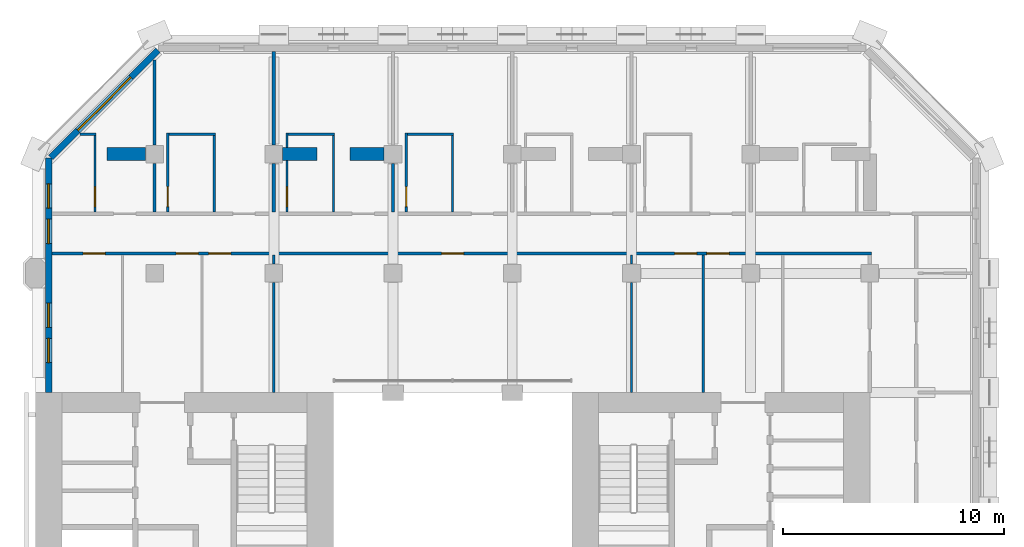
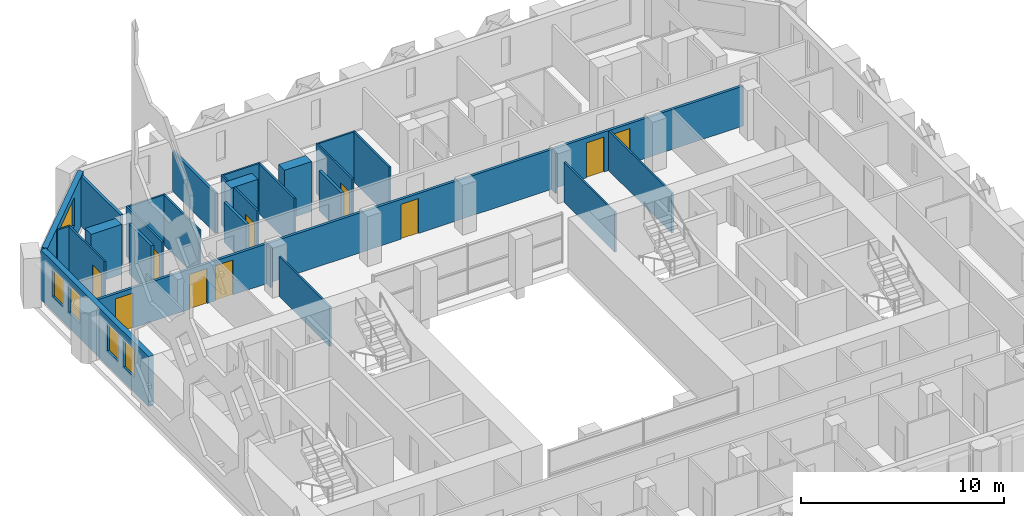
# One storey, part 12 of 17: 28 walls, 10 doors, 5 windows, 15 openings.
"""IFC4 building model written with IfcOpenShell, lengths in metres."""

from ifc_helpers import new_model, si_unit, direction, frame, frame_2d, origin, place, context, subcontext, project, spatial, rectangle, extrude, material, layer, layer_set, type_object, element, fill, save


model = new_model("IFC4")

# Units and contexts
model_context = context("Model", 3, precision=1e-05, world=origin(), true_north=direction((0.0, 1.0)))
body_context = subcontext(model_context, "Body", "Model", "MODEL_VIEW")
ifc_project = project(units=[si_unit("LENGTHUNIT", "METRE"), si_unit("AREAUNIT", "SQUARE_METRE"), si_unit("VOLUMEUNIT", "CUBIC_METRE"), si_unit("PLANEANGLEUNIT", "RADIAN"), si_unit("MASSUNIT", "GRAM", prefix="KILO")], contexts=[model_context])

# Site, building, storey
site_placement = place(None, origin())
site = spatial("IfcSite", under=ifc_project, at=site_placement, CompositionType="ELEMENT")
building_placement = place(site_placement, origin())
building = spatial("IfcBuilding", under=site, at=building_placement, Name="Tabaq Tower and Sports Hall", CompositionType="ELEMENT")
storey_placement = place(building_placement, frame((0.0, 0.0, 180.699951171875)))
storey = spatial("IfcBuildingStorey", under=building, at=storey_placement, Name="L43", CompositionType="ELEMENT", Elevation=180.699951171875)

# Wall
ifc_material_1 = material(Name="Gypsum board on steel studs", Category="steel")
ifc_layer_1 = layer(ifc_material_1, 0.10009765625)
ifc_layer_set_1 = layer_set([ifc_layer_1], Name="Partition 100 Gypsum board")
wall_type_1 = type_object("IfcWallType", Name="Partition 100 Gypsum board", PredefinedType="PARTITIONING", material=ifc_layer_set_1)
wall_1_placement = place(storey_placement, frame((7.412109375, 44.10009765625, 0.0), z_axis=(0.0, 0.0, 1.0), x_axis=(1.0, 0.0, 0.0)))
element("IfcWall", 1, at=wall_1_placement, inside=storey, type_object=wall_type_1, Name="Partition wall L43", PredefinedType="PARTITIONING", context=body_context, shape_type="SweptSolid", body=[
    extrude(rectangle(XDim=0.73779296875, YDim=0.10009765625, at=frame_2d((0.368896484375, 0.0))), origin(), (0.0, 0.0, 1.0), 3.0),
])

# Wall, opening, door
wall_2_placement = place(storey_placement, frame((8.10009765625, 44.050048828125, 0.0), z_axis=(0.0, 0.0, 1.0), x_axis=(0.0, -1.0, 0.0)))
wall_2 = element("IfcWall", 2, at=wall_2_placement, inside=storey, type_object=wall_type_1, Name="Partition wall L43", PredefinedType="PARTITIONING", context=body_context, shape_type="SweptSolid", body=[
    extrude(rectangle(XDim=3.47509765625, YDim=0.10009765625, at=frame_2d((1.737548828125, 0.0))), origin(), (0.0, 0.0, 1.0), 3.0),
])
opening_1_placement = place(wall_2_placement, frame((2.324951171875, 0.0, 0.0)))
opening_1 = element("IfcOpeningElement", 3, at=opening_1_placement, cuts=wall_2, Name="Opening L43-002", PredefinedType="OPENING", context=body_context, shape_type="SweptSolid", body=[
    extrude(rectangle(XDim=0.89990234375, YDim=2.10009765625, at=frame_2d((0.449951171875, 1.050048828125))), frame((0.0, 0.050048828125, 0.0), z_axis=(0.0, -1.0, 0.0), x_axis=(1.0, 0.0, 0.0)), (0.0, 0.0, 1.0), 0.10009765625),
])
ifc_material_2 = material(Name="Timber leaf in steel frame", Category="steel")
door_type_1 = type_object("IfcDoorType", Name="Internal door 900 left hand", OperationType="SINGLE_SWING_LEFT", PredefinedType="DOOR", material=ifc_material_2)
door_1_placement = place(opening_1_placement, origin())
door_1 = element("IfcDoor", 4, at=door_1_placement, inside=storey, type_object=door_type_1, Name="Internal door L43-002", OperationType="SINGLE_SWING_LEFT", OverallHeight=2.10009765625, OverallWidth=0.89990234375, PredefinedType="DOOR", context=body_context, shape_type="SweptSolid", body=[
    extrude(rectangle(XDim=0.89990234375, YDim=2.10009765625, at=frame_2d((0.449951171875, 1.050048828125))), frame((0.0, 0.02490234375, 0.0), z_axis=(0.0, -1.0, 0.0), x_axis=(1.0, 0.0, 0.0)), (0.0, 0.0, 1.0), 0.050048828125),
])
fill(opening_1, door_1)

wall_3_placement = place(storey_placement, frame((11.39990234375, 40.574951171875, 0.0), z_axis=(0.0, 0.0, 1.0), x_axis=(0.0, 1.0, 0.0)))
wall_3 = element("IfcWall", 5, at=wall_3_placement, inside=storey, type_object=wall_type_1, Name="Partition wall L43", PredefinedType="PARTITIONING", context=body_context, shape_type="SweptSolid", body=[
    extrude(rectangle(XDim=3.574951171875, YDim=0.10009765625, at=frame_2d((1.78759765625, 0.0))), origin(), (0.0, 0.0, 1.0), 3.0),
])
opening_2_placement = place(wall_3_placement, frame((0.25, 0.0, 0.0)))
opening_2 = element("IfcOpeningElement", 6, at=opening_2_placement, cuts=wall_3, Name="Opening L43-003", PredefinedType="OPENING", context=body_context, shape_type="SweptSolid", body=[
    extrude(rectangle(XDim=0.89990234375, YDim=2.10009765625, at=frame_2d((0.449951171875, 1.050048828125))), frame((0.0, 0.050048828125, 0.0), z_axis=(0.0, -1.0, 0.0), x_axis=(1.0, 0.0, 0.0)), (0.0, 0.0, 1.0), 0.10009765625),
])
door_2_placement = place(opening_2_placement, origin())
door_2 = element("IfcDoor", 7, at=door_2_placement, inside=storey, type_object=door_type_1, Name="Internal door L43-003", OperationType="SINGLE_SWING_LEFT", OverallHeight=2.10009765625, OverallWidth=0.89990234375, PredefinedType="DOOR", context=body_context, shape_type="SweptSolid", body=[
    extrude(rectangle(XDim=0.89990234375, YDim=2.10009765625, at=frame_2d((0.449951171875, 1.050048828125))), frame((0.0, 0.02490234375, 0.0), z_axis=(0.0, -1.0, 0.0), x_axis=(1.0, 0.0, 0.0)), (0.0, 0.0, 1.0), 0.050048828125),
])
fill(opening_2, door_2)

# Walls
wall_4_placement = place(storey_placement, frame((11.449951171875, 44.10009765625, 0.0), z_axis=(0.0, 0.0, 1.0), x_axis=(1.0, 0.0, 0.0)))
element("IfcWall", 8, at=wall_4_placement, inside=storey, type_object=wall_type_1, Name="Partition wall L43", PredefinedType="PARTITIONING", context=body_context, shape_type="SweptSolid", body=[
    extrude(rectangle(XDim=2.10009765625, YDim=0.10009765625, at=frame_2d((1.050048828125, 0.0))), origin(), (0.0, 0.0, 1.0), 3.0),
])
wall_5_placement = place(storey_placement, frame((13.5, 44.050048828125, 0.0), z_axis=(0.0, 0.0, 1.0), x_axis=(0.0, -1.0, 0.0)))
element("IfcWall", 9, at=wall_5_placement, inside=storey, type_object=wall_type_1, Name="Partition wall L43", PredefinedType="PARTITIONING", context=body_context, shape_type="SweptSolid", body=[
    extrude(rectangle(XDim=3.47509765625, YDim=0.10009765625, at=frame_2d((1.737548828125, 0.0))), origin(), (0.0, 0.0, 1.0), 3.0),
])

# Wall, opening, door
wall_6_placement = place(storey_placement, frame((16.800048828125, 40.574951171875, 0.0), z_axis=(0.0, 0.0, 1.0), x_axis=(0.0, 1.0, 0.0)))
wall_6 = element("IfcWall", 10, at=wall_6_placement, inside=storey, type_object=wall_type_1, Name="Partition wall L43", PredefinedType="PARTITIONING", context=body_context, shape_type="SweptSolid", body=[
    extrude(rectangle(XDim=2.323974609375, YDim=0.10009765625, at=frame_2d((1.162109375, 0.0))), origin(), (0.0, 0.0, 1.0), 3.0),
])
opening_3_placement = place(wall_6_placement, frame((0.25, 0.0, 0.0)))
opening_3 = element("IfcOpeningElement", 11, at=opening_3_placement, cuts=wall_6, Name="Opening L43-004", PredefinedType="OPENING", context=body_context, shape_type="SweptSolid", body=[
    extrude(rectangle(XDim=0.89990234375, YDim=2.10009765625, at=frame_2d((0.449951171875, 1.050048828125))), frame((0.0, 0.050048828125, 0.0), z_axis=(0.0, -1.0, 0.0), x_axis=(1.0, 0.0, 0.0)), (0.0, 0.0, 1.0), 0.10009765625),
])
ifc_material_3 = material(Name="Timber leaf in steel frame", Category="steel")
door_type_2 = type_object("IfcDoorType", Name="Internal door 900 right hand", OperationType="SINGLE_SWING_RIGHT", PredefinedType="DOOR", material=ifc_material_3)
door_3_placement = place(opening_3_placement, origin())
door_3 = element("IfcDoor", 12, at=door_3_placement, inside=storey, type_object=door_type_2, Name="Internal door L43-004", OperationType="SINGLE_SWING_RIGHT", OverallHeight=2.10009765625, OverallWidth=0.89990234375, PredefinedType="DOOR", context=body_context, shape_type="SweptSolid", body=[
    extrude(rectangle(XDim=0.89990234375, YDim=2.10009765625, at=frame_2d((0.449951171875, 1.050048828125))), frame((0.0, 0.02490234375, 0.0), z_axis=(0.0, -1.0, 0.0), x_axis=(1.0, 0.0, 0.0)), (0.0, 0.0, 1.0), 0.050048828125),
])
fill(opening_3, door_3)

# Walls
wall_7_placement = place(storey_placement, frame((16.800048828125, 43.5009765625, 0.0), z_axis=(0.0, 0.0, 1.0), x_axis=(0.0, 1.0, 0.0)))
element("IfcWall", 13, at=wall_7_placement, inside=storey, type_object=wall_type_1, Name="Partition wall L43", PredefinedType="PARTITIONING", context=body_context, shape_type="SweptSolid", body=[
    extrude(rectangle(XDim=0.64892578125, YDim=0.10009765625, at=frame_2d((0.324462890625, 0.0))), origin(), (0.0, 0.0, 1.0), 3.0),
])
wall_8_placement = place(storey_placement, frame((16.85009765625, 44.10009765625, 0.0), z_axis=(0.0, 0.0, 1.0), x_axis=(1.0, 0.0, 0.0)))
element("IfcWall", 14, at=wall_8_placement, inside=storey, type_object=wall_type_1, Name="Partition wall L43", PredefinedType="PARTITIONING", context=body_context, shape_type="SweptSolid", body=[
    extrude(rectangle(XDim=2.099853515625, YDim=0.10009765625, at=frame_2d((1.0498046875, 0.0))), origin(), (0.0, 0.0, 1.0), 3.0),
])
wall_9_placement = place(storey_placement, frame((18.89990234375, 44.050048828125, 0.0), z_axis=(0.0, 0.0, 1.0), x_axis=(0.0, -1.0, 0.0)))
element("IfcWall", 15, at=wall_9_placement, inside=storey, type_object=wall_type_1, Name="Partition wall L43", PredefinedType="PARTITIONING", context=body_context, shape_type="SweptSolid", body=[
    extrude(rectangle(XDim=3.47509765625, YDim=0.10009765625, at=frame_2d((1.737548828125, 0.0))), origin(), (0.0, 0.0, 1.0), 3.0),
])

# Wall, opening, door
wall_10_placement = place(storey_placement, frame((22.199951171875, 40.574951171875, 0.0), z_axis=(0.0, 0.0, 1.0), x_axis=(0.0, 1.0, 0.0)))
wall_10 = element("IfcWall", 16, at=wall_10_placement, inside=storey, type_object=wall_type_1, Name="Partition wall L43", PredefinedType="PARTITIONING", context=body_context, shape_type="SweptSolid", body=[
    extrude(rectangle(XDim=3.574951171875, YDim=0.10009765625, at=frame_2d((1.78759765625, 0.0))), origin(), (0.0, 0.0, 1.0), 3.0),
])
opening_4_placement = place(wall_10_placement, frame((0.25, 0.0, 0.0)))
opening_4 = element("IfcOpeningElement", 17, at=opening_4_placement, cuts=wall_10, Name="Opening L43-005", PredefinedType="OPENING", context=body_context, shape_type="SweptSolid", body=[
    extrude(rectangle(XDim=0.89990234375, YDim=2.10009765625, at=frame_2d((0.449951171875, 1.050048828125))), frame((0.0, 0.050048828125, 0.0), z_axis=(0.0, -1.0, 0.0), x_axis=(1.0, 0.0, 0.0)), (0.0, 0.0, 1.0), 0.10009765625),
])
door_4_placement = place(opening_4_placement, origin())
door_4 = element("IfcDoor", 18, at=door_4_placement, inside=storey, type_object=door_type_2, Name="Internal door L43-005", OperationType="SINGLE_SWING_RIGHT", OverallHeight=2.10009765625, OverallWidth=0.89990234375, PredefinedType="DOOR", context=body_context, shape_type="SweptSolid", body=[
    extrude(rectangle(XDim=0.89990234375, YDim=2.10009765625, at=frame_2d((0.449951171875, 1.050048828125))), frame((0.0, 0.02490234375, 0.0), z_axis=(0.0, -1.0, 0.0), x_axis=(1.0, 0.0, 0.0)), (0.0, 0.0, 1.0), 0.050048828125),
])
fill(opening_4, door_4)

# Walls
wall_11_placement = place(storey_placement, frame((22.25, 44.10009765625, 0.0), z_axis=(0.0, 0.0, 1.0), x_axis=(1.0, 0.0, 0.0)))
element("IfcWall", 19, at=wall_11_placement, inside=storey, type_object=wall_type_1, Name="Partition wall L43", PredefinedType="PARTITIONING", context=body_context, shape_type="SweptSolid", body=[
    extrude(rectangle(XDim=2.10009765625, YDim=0.10009765625, at=frame_2d((1.050048828125, 0.0))), origin(), (0.0, 0.0, 1.0), 3.0),
])
wall_12_placement = place(storey_placement, frame((24.300048828125, 44.050048828125, 0.0), z_axis=(0.0, 0.0, 1.0), x_axis=(0.0, -1.0, 0.0)))
element("IfcWall", 20, at=wall_12_placement, inside=storey, type_object=wall_type_1, Name="Partition wall L43", PredefinedType="PARTITIONING", context=body_context, shape_type="SweptSolid", body=[
    extrude(rectangle(XDim=3.47509765625, YDim=0.10009765625, at=frame_2d((1.737548828125, 0.0))), origin(), (0.0, 0.0, 1.0), 3.0),
])
wall_13_placement = place(storey_placement, frame((32.39990234375, 32.39990234375, 0.0), z_axis=(0.0, 0.0, 1.0), x_axis=(0.0, 1.0, 0.0)))
element("IfcWall", 21, at=wall_13_placement, inside=storey, type_object=wall_type_1, Name="Partition wall L43", PredefinedType="PARTITIONING", context=body_context, shape_type="SweptSolid", body=[
    extrude(rectangle(XDim=4.97998046875, YDim=0.10009765625, at=frame_2d((2.489990234375, 0.0))), origin(), (0.0, 0.0, 1.0), 2.400146484375),
])
for number, where, z_axis, x_axis, name in (
    (22, (32.39990234375, 38.219970703125, 0.0), (0.0, 0.0, 1.0), (0.0, 1.0, 0.0), "Partition wall L43"),
    (23, (16.199951171875, 38.625, 0.0), (0.0, 0.0, 1.0), (0.0, -1.0, 0.0), "Partition wall L43"),
):
    element("IfcWall", number, at=place(storey_placement, frame(where, z_axis=z_axis, x_axis=x_axis)), inside=storey, type_object=wall_type_1, Name=name, PredefinedType="PARTITIONING", context=body_context, shape_type="SweptSolid", body=[
        extrude(rectangle(XDim=0.405029296875, YDim=0.10009765625, at=frame_2d((0.20263671875, 0.0))), origin(), (0.0, 0.0, 1.0), 2.400146484375),
    ])
wall_14_placement = place(storey_placement, frame((16.199951171875, 37.3798828125, 0.0), z_axis=(0.0, 0.0, 1.0), x_axis=(0.0, -1.0, 0.0)))
element("IfcWall", 24, at=wall_14_placement, inside=storey, type_object=wall_type_1, Name="Partition wall L43", PredefinedType="PARTITIONING", context=body_context, shape_type="SweptSolid", body=[
    extrude(rectangle(XDim=4.97998046875, YDim=0.10009765625, at=frame_2d((2.489990234375, 0.0))), origin(), (0.0, 0.0, 1.0), 2.400146484375),
])
wall_15_placement = place(storey_placement, frame((35.64990234375, 38.625, 0.0), z_axis=(0.0, 0.0, 1.0), x_axis=(0.0, -1.0, 0.0)))
element("IfcWall", 25, at=wall_15_placement, inside=storey, type_object=wall_type_1, Name="Partition wall L43", PredefinedType="PARTITIONING", context=body_context, shape_type="SweptSolid", body=[
    extrude(rectangle(XDim=6.22509765625, YDim=0.10009765625, at=frame_2d((3.112548828125, 0.0))), origin(), (0.0, 0.0, 1.0), 2.400146484375),
])
ifc_material_4 = material(Name="Concrete C50/60", Category="concrete")
ifc_layer_2 = layer(ifc_material_4, 0.60009765625)
ifc_layer_set_2 = layer_set([ifc_layer_2], Name="RC TRANSFER WALL 600 C50/60")
wall_type_2 = type_object("IfcWallType", Name="RC TRANSFER WALL 600 C50/60", PredefinedType="SHEAR", material=ifc_layer_set_2)
wall_16_placement = place(storey_placement, frame((8.64990234375, 43.199951171875, 0.0), z_axis=(0.0, 0.0, 1.0), x_axis=(1.0, 0.0, 0.0)))
element("IfcWall", 26, at=wall_16_placement, inside=storey, type_object=wall_type_2, Name="Transfer Wall L43 North 5", PredefinedType="SHEAR", context=body_context, shape_type="SweptSolid", body=[
    extrude(rectangle(XDim=1.75, YDim=0.60009765625, at=frame_2d((0.875, 0.0))), origin(), (0.0, 0.0, 1.0), 3.0),
])
wall_17_placement = place(storey_placement, frame((16.60009765625, 43.199951171875, 0.0), z_axis=(0.0, 0.0, 1.0), x_axis=(1.0, 0.0, 0.0)))
element("IfcWall", 27, at=wall_17_placement, inside=storey, type_object=wall_type_2, Name="Transfer Wall L43 North 6", PredefinedType="SHEAR", context=body_context, shape_type="SweptSolid", body=[
    extrude(rectangle(XDim=1.5498046875, YDim=0.60009765625, at=frame_2d((0.77490234375, 0.0))), origin(), (0.0, 0.0, 1.0), 3.0),
])
wall_18_placement = place(storey_placement, frame((19.64990234375, 43.199951171875, 0.0), z_axis=(0.0, 0.0, 1.0), x_axis=(1.0, 0.0, 0.0)))
element("IfcWall", 28, at=wall_18_placement, inside=storey, type_object=wall_type_2, Name="Transfer Wall L43 North 7", PredefinedType="SHEAR", context=body_context, shape_type="SweptSolid", body=[
    extrude(rectangle(XDim=1.550048828125, YDim=0.60009765625, at=frame_2d((0.77490234375, 0.0))), origin(), (0.0, 0.0, 1.0), 3.0),
])
ifc_material_5 = material(Name="Blockwork", Category="masonry")
ifc_layer_3 = layer(ifc_material_5, 0.14990234375)
ifc_layer_set_3 = layer_set([ifc_layer_3], Name="Separating wall 150 Blockwork")
wall_type_3 = type_object("IfcWallType", Name="Separating wall 150 Blockwork", PredefinedType="PARTITIONING", material=ifc_layer_set_3)
wall_19_placement = place(storey_placement, frame((10.800048828125, 40.574951171875, 0.0), z_axis=(0.0, 0.0, 1.0), x_axis=(0.0, 1.0, 0.0)))
element("IfcWall", 29, at=wall_19_placement, inside=storey, type_object=wall_type_3, Name="Separating wall L43", PredefinedType="PARTITIONING", context=body_context, shape_type="SweptSolid", body=[
    extrude(rectangle(XDim=2.205078125, YDim=0.14990234375, at=frame_2d((1.1025390625, 0.0))), origin(), (0.0, 0.0, 1.0), 3.0),
])
wall_20_placement = place(storey_placement, frame((10.800048828125, 43.6201171875, 0.0), z_axis=(0.0, 0.0, 1.0), x_axis=(0.0, 1.0, 0.0)))
element("IfcWall", 30, at=wall_20_placement, inside=storey, type_object=wall_type_3, Name="Separating wall L43", PredefinedType="PARTITIONING", context=body_context, shape_type="SweptSolid", body=[
    extrude(rectangle(XDim=3.8427734375, YDim=0.14990234375, at=frame_2d((1.92138671875, 0.0))), origin(), (0.0, 0.0, 1.0), 3.0),
])
wall_21_placement = place(storey_placement, frame((16.199951171875, 40.574951171875, 0.0), z_axis=(0.0, 0.0, 1.0), x_axis=(0.0, 1.0, 0.0)))
element("IfcWall", 31, at=wall_21_placement, inside=storey, type_object=wall_type_3, Name="Separating wall L43", PredefinedType="PARTITIONING", context=body_context, shape_type="SweptSolid", body=[
    extrude(rectangle(XDim=2.205078125, YDim=0.14990234375, at=frame_2d((1.1025390625, 0.0))), origin(), (0.0, 0.0, 1.0), 2.400146484375),
])
wall_22_placement = place(storey_placement, frame((16.199951171875, 43.6201171875, 0.0), z_axis=(0.0, 0.0, 1.0), x_axis=(0.0, 1.0, 0.0)))
element("IfcWall", 32, at=wall_22_placement, inside=storey, type_object=wall_type_3, Name="Separating wall L43", PredefinedType="PARTITIONING", context=body_context, shape_type="SweptSolid", body=[
    extrude(rectangle(XDim=4.22900390625, YDim=0.14990234375, at=frame_2d((2.114501953125, 0.0))), origin(), (0.0, 0.0, 1.0), 2.400146484375),
])
wall_23_placement = place(storey_placement, frame((21.60009765625, 40.574951171875, 0.0), z_axis=(0.0, 0.0, 1.0), x_axis=(0.0, 1.0, 0.0)))
element("IfcWall", 33, at=wall_23_placement, inside=storey, type_object=wall_type_3, Name="Separating wall L43", PredefinedType="PARTITIONING", context=body_context, shape_type="SweptSolid", body=[
    extrude(rectangle(XDim=2.205078125, YDim=0.14990234375, at=frame_2d((1.1025390625, 0.0))), origin(), (0.0, 0.0, 1.0), 2.400146484375),
])

# Wall, openings, doors
wall_24_placement = place(storey_placement, frame((43.27490234375, 38.699951171875, 0.0), z_axis=(0.0, 0.0, 1.0), x_axis=(-1.0, 0.0, 0.0)))
wall_24 = element("IfcWall", 34, at=wall_24_placement, inside=storey, type_object=wall_type_3, Name="Separating wall L43", PredefinedType="PARTITIONING", context=body_context, shape_type="SweptSolid", body=[
    extrude(rectangle(XDim=37.1240234375, YDim=0.14990234375, at=frame_2d((18.56201171875, 0.0))), origin(), (0.0, 0.0, 1.0), 2.400146484375),
])
opening_5_placement = place(wall_24_placement, frame((18.47509765625, 0.0, 0.0)))
opening_5 = element("IfcOpeningElement", 35, at=opening_5_placement, cuts=wall_24, Name="Opening L43-009", PredefinedType="OPENING", context=body_context, shape_type="SweptSolid", body=[
    extrude(rectangle(XDim=1.0, YDim=2.10009765625, at=frame_2d((0.5, 1.050048828125))), frame((0.0, 0.074951171875, 0.0), z_axis=(0.0, -1.0, 0.0), x_axis=(1.0, 0.0, 0.0)), (0.0, 0.0, 1.0), 0.14990234375),
])
opening_6_placement = place(wall_24_placement, frame((34.715087890625, 0.0, 0.0)))
opening_6 = element("IfcOpeningElement", 36, at=opening_6_placement, cuts=wall_24, Name="Opening L43-011", PredefinedType="OPENING", context=body_context, shape_type="SweptSolid", body=[
    extrude(rectangle(XDim=1.0, YDim=2.10009765625, at=frame_2d((0.5, 1.050048828125))), frame((0.0, 0.074951171875, 0.0), z_axis=(0.0, -1.0, 0.0), x_axis=(1.0, 0.0, 0.0)), (0.0, 0.0, 1.0), 0.14990234375),
])
opening_7_placement = place(wall_24_placement, frame((7.925048828125, 0.0, 0.0)))
opening_7 = element("IfcOpeningElement", 37, at=opening_7_placement, cuts=wall_24, Name="Opening L43-012", PredefinedType="OPENING", context=body_context, shape_type="SweptSolid", body=[
    extrude(rectangle(XDim=1.0, YDim=2.10009765625, at=frame_2d((0.5, 1.050048828125))), frame((0.0, 0.074951171875, 0.0), z_axis=(0.0, -1.0, 0.0), x_axis=(1.0, 0.0, 0.0)), (0.0, 0.0, 1.0), 0.14990234375),
])
opening_8_placement = place(wall_24_placement, frame((29.02490234375, 0.0, 0.0)))
opening_8 = element("IfcOpeningElement", 38, at=opening_8_placement, cuts=wall_24, Name="Opening L43-014", PredefinedType="OPENING", context=body_context, shape_type="SweptSolid", body=[
    extrude(rectangle(XDim=1.0, YDim=2.10009765625, at=frame_2d((0.5, 1.050048828125))), frame((0.0, 0.074951171875, 0.0), z_axis=(0.0, -1.0, 0.0), x_axis=(1.0, 0.0, 0.0)), (0.0, 0.0, 1.0), 0.14990234375),
])
opening_9_placement = place(wall_24_placement, frame((30.4951171875, 0.0, 0.0)))
opening_9 = element("IfcOpeningElement", 39, at=opening_9_placement, cuts=wall_24, Name="Opening L43-039", PredefinedType="OPENING", context=body_context, shape_type="SweptSolid", body=[
    extrude(rectangle(XDim=1.0, YDim=2.10009765625, at=frame_2d((0.5, 1.050048828125))), frame((0.0, 0.074951171875, 0.0), z_axis=(0.0, -1.0, 0.0), x_axis=(1.0, 0.0, 0.0)), (0.0, 0.0, 1.0), 0.14990234375),
])
opening_10_placement = place(wall_24_placement, frame((6.455078125, 0.0, 0.0)))
opening_10 = element("IfcOpeningElement", 40, at=opening_10_placement, cuts=wall_24, Name="Opening L43-040", PredefinedType="OPENING", context=body_context, shape_type="SweptSolid", body=[
    extrude(rectangle(XDim=1.0, YDim=2.10009765625, at=frame_2d((0.5, 1.050048828125))), frame((0.0, 0.074951171875, 0.0), z_axis=(0.0, -1.0, 0.0), x_axis=(1.0, 0.0, 0.0)), (0.0, 0.0, 1.0), 0.14990234375),
])
ifc_material_6 = material(Name="Timber leaf in steel frame", Category="steel")
door_type_3 = type_object("IfcDoorType", Name="Internal door 1000 left hand", OperationType="SINGLE_SWING_LEFT", PredefinedType="DOOR", material=ifc_material_6)
door_5_placement = place(opening_6_placement, origin())
door_5 = element("IfcDoor", 41, at=door_5_placement, inside=storey, type_object=door_type_3, Name="Internal door L43-011", OperationType="SINGLE_SWING_LEFT", OverallHeight=2.10009765625, OverallWidth=1.0, PredefinedType="DOOR", context=body_context, shape_type="SweptSolid", body=[
    extrude(rectangle(XDim=1.0, YDim=2.10009765625, at=frame_2d((0.5, 1.050048828125))), frame((0.0, 0.02490234375, 0.0), z_axis=(0.0, -1.0, 0.0), x_axis=(1.0, 0.0, 0.0)), (0.0, 0.0, 1.0), 0.050048828125),
])
fill(opening_6, door_5)
door_6_placement = place(opening_7_placement, origin())
door_6 = element("IfcDoor", 42, at=door_6_placement, inside=storey, type_object=door_type_3, Name="Internal door L43-012", OperationType="SINGLE_SWING_LEFT", OverallHeight=2.10009765625, OverallWidth=1.0, PredefinedType="DOOR", context=body_context, shape_type="SweptSolid", body=[
    extrude(rectangle(XDim=1.0, YDim=2.10009765625, at=frame_2d((0.5, 1.050048828125))), frame((0.0, 0.02490234375, 0.0), z_axis=(0.0, -1.0, 0.0), x_axis=(1.0, 0.0, 0.0)), (0.0, 0.0, 1.0), 0.050048828125),
])
fill(opening_7, door_6)
door_7_placement = place(opening_9_placement, origin())
door_7 = element("IfcDoor", 43, at=door_7_placement, inside=storey, type_object=door_type_3, Name="Internal door L43-039", OperationType="SINGLE_SWING_LEFT", OverallHeight=2.10009765625, OverallWidth=1.0, PredefinedType="DOOR", context=body_context, shape_type="SweptSolid", body=[
    extrude(rectangle(XDim=1.0, YDim=2.10009765625, at=frame_2d((0.5, 1.050048828125))), frame((0.0, 0.02490234375, 0.0), z_axis=(0.0, -1.0, 0.0), x_axis=(1.0, 0.0, 0.0)), (0.0, 0.0, 1.0), 0.050048828125),
])
fill(opening_9, door_7)
door_8_placement = place(opening_10_placement, origin())
door_8 = element("IfcDoor", 44, at=door_8_placement, inside=storey, type_object=door_type_3, Name="Internal door L43-040", OperationType="SINGLE_SWING_LEFT", OverallHeight=2.10009765625, OverallWidth=1.0, PredefinedType="DOOR", context=body_context, shape_type="SweptSolid", body=[
    extrude(rectangle(XDim=1.0, YDim=2.10009765625, at=frame_2d((0.5, 1.050048828125))), frame((0.0, 0.02490234375, 0.0), z_axis=(0.0, -1.0, 0.0), x_axis=(1.0, 0.0, 0.0)), (0.0, 0.0, 1.0), 0.050048828125),
])
fill(opening_10, door_8)
ifc_material_7 = material(Name="Timber leaf in steel frame", Category="steel")
door_type_4 = type_object("IfcDoorType", Name="Internal door 1000 right hand", OperationType="SINGLE_SWING_RIGHT", PredefinedType="DOOR", material=ifc_material_7)
door_9_placement = place(opening_5_placement, origin())
door_9 = element("IfcDoor", 45, at=door_9_placement, inside=storey, type_object=door_type_4, Name="Internal door L43-009", OperationType="SINGLE_SWING_RIGHT", OverallHeight=2.10009765625, OverallWidth=1.0, PredefinedType="DOOR", context=body_context, shape_type="SweptSolid", body=[
    extrude(rectangle(XDim=1.0, YDim=2.10009765625, at=frame_2d((0.5, 1.050048828125))), frame((0.0, 0.02490234375, 0.0), z_axis=(0.0, -1.0, 0.0), x_axis=(1.0, 0.0, 0.0)), (0.0, 0.0, 1.0), 0.050048828125),
])
fill(opening_5, door_9)
door_10_placement = place(opening_8_placement, origin())
door_10 = element("IfcDoor", 46, at=door_10_placement, inside=storey, type_object=door_type_4, Name="Internal door L43-014", OperationType="SINGLE_SWING_RIGHT", OverallHeight=2.10009765625, OverallWidth=1.0, PredefinedType="DOOR", context=body_context, shape_type="SweptSolid", body=[
    extrude(rectangle(XDim=1.0, YDim=2.10009765625, at=frame_2d((0.5, 1.050048828125))), frame((0.0, 0.02490234375, 0.0), z_axis=(0.0, -1.0, 0.0), x_axis=(1.0, 0.0, 0.0)), (0.0, 0.0, 1.0), 0.050048828125),
])
fill(opening_8, door_10)

# Wall, opening, window
ifc_material_8 = material(Name="White precast concrete C60/75", Category="concrete")
ifc_layer_4 = layer(ifc_material_8, 0.300048828125)
ifc_layer_set_4 = layer_set([ifc_layer_4], Name="White precast concrete C60/75 external wall 300")
wall_type_4 = type_object("IfcWallType", Name="White precast concrete C60/75 external wall 300", PredefinedType="SOLIDWALL", material=ifc_layer_set_4)
wall_25_placement = place(storey_placement, frame((10.949462890625, 47.901123046875, 0.0), z_axis=(0.0, 0.0, 1.0), x_axis=(-0.707106781187, -0.707106781187, 0.0)))
wall_25 = element("IfcWall", 47, at=wall_25_placement, inside=storey, type_object=wall_type_4, Name="External Wall L43 NW", PredefinedType="SOLIDWALL", context=body_context, shape_type="SweptSolid", body=[
    extrude(rectangle(XDim=6.85986328125, YDim=0.300048828125, at=frame_2d((3.429931640625, 0.0))), origin(), (0.0, 0.0, 1.0), 3.0),
])
opening_11_placement = place(wall_25_placement, frame((1.729736328125, 0.0, 0.89990234375)))
opening_11 = element("IfcOpeningElement", 48, at=opening_11_placement, cuts=wall_25, Name="Opening W1A", PredefinedType="OPENING", context=body_context, shape_type="SweptSolid", body=[
    extrude(rectangle(XDim=3.39990234375, YDim=1.699951171875, at=frame_2d((1.699951171875, 0.85009765625))), frame((0.0, 0.16015625, 0.0), z_axis=(0.0, -1.0, 0.0), x_axis=(1.0, 0.0, 0.0)), (0.0, 0.0, 1.0), 0.320068359375),
])
ifc_material_9 = material(Name="Aluminium framed clear glazing", Category="aluminium")
window_type_1 = type_object("IfcWindowType", Name="Window W1A", PartitioningType="SINGLE_PANEL", PredefinedType="WINDOW", material=ifc_material_9)
window_1_placement = place(opening_11_placement, origin())
window_1 = element("IfcWindow", 49, at=window_1_placement, inside=storey, type_object=window_type_1, Name="Window W1A L43", OverallHeight=1.699951171875, OverallWidth=3.39990234375, PartitioningType="SINGLE_PANEL", PredefinedType="WINDOW", context=body_context, shape_type="SweptSolid", body=[
    extrude(rectangle(XDim=3.39990234375, YDim=1.699951171875, at=frame_2d((1.699951171875, 0.85009765625))), frame((0.0, 0.030029296875, 0.0), z_axis=(0.0, -1.0, 0.0), x_axis=(1.0, 0.0, 0.0)), (0.0, 0.0, 1.0), 0.06005859375),
])
fill(opening_11, window_1)

# Wall, openings, windows
wall_26_placement = place(storey_placement, frame((6.0, 43.013671875, 0.0), z_axis=(0.0, 0.0, 1.0), x_axis=(0.0, -1.0, 0.0)))
wall_26 = element("IfcWall", 50, at=wall_26_placement, inside=storey, type_object=wall_type_4, Name="External Wall L43 W", PredefinedType="SOLIDWALL", context=body_context, shape_type="SweptSolid", body=[
    extrude(rectangle(XDim=10.61376953125, YDim=0.300048828125, at=frame_2d((5.306884765625, 0.0))), origin(), (0.0, 0.0, 1.0), 3.0),
])
opening_12_placement = place(wall_26_placement, frame((1.16357421875, 0.0, 0.89990234375)))
opening_12 = element("IfcOpeningElement", 51, at=opening_12_placement, cuts=wall_26, Name="Opening W1B", PredefinedType="OPENING", context=body_context, shape_type="SweptSolid", body=[
    extrude(rectangle(XDim=1.10009765625, YDim=1.699951171875, at=frame_2d((0.550048828125, 0.85009765625))), frame((0.0, 0.16015625, 0.0), z_axis=(0.0, -1.0, 0.0), x_axis=(1.0, 0.0, 0.0)), (0.0, 0.0, 1.0), 0.320068359375),
])
opening_13_placement = place(wall_26_placement, frame((2.763671875, 0.0, 0.89990234375)))
opening_13 = element("IfcOpeningElement", 52, at=opening_13_placement, cuts=wall_26, Name="Opening W1B", PredefinedType="OPENING", context=body_context, shape_type="SweptSolid", body=[
    extrude(rectangle(XDim=1.10009765625, YDim=1.699951171875, at=frame_2d((0.550048828125, 0.85009765625))), frame((0.0, 0.16015625, 0.0), z_axis=(0.0, -1.0, 0.0), x_axis=(1.0, 0.0, 0.0)), (0.0, 0.0, 1.0), 0.320068359375),
])
opening_14_placement = place(wall_26_placement, frame((6.563720703125, 0.0, 0.89990234375)))
opening_14 = element("IfcOpeningElement", 53, at=opening_14_placement, cuts=wall_26, Name="Opening W1B", PredefinedType="OPENING", context=body_context, shape_type="SweptSolid", body=[
    extrude(rectangle(XDim=1.10009765625, YDim=1.699951171875, at=frame_2d((0.550048828125, 0.85009765625))), frame((0.0, 0.16015625, 0.0), z_axis=(0.0, -1.0, 0.0), x_axis=(1.0, 0.0, 0.0)), (0.0, 0.0, 1.0), 0.320068359375),
])
opening_15_placement = place(wall_26_placement, frame((8.16357421875, 0.0, 0.89990234375)))
opening_15 = element("IfcOpeningElement", 54, at=opening_15_placement, cuts=wall_26, Name="Opening W1B", PredefinedType="OPENING", context=body_context, shape_type="SweptSolid", body=[
    extrude(rectangle(XDim=1.10009765625, YDim=1.699951171875, at=frame_2d((0.550048828125, 0.85009765625))), frame((0.0, 0.16015625, 0.0), z_axis=(0.0, -1.0, 0.0), x_axis=(1.0, 0.0, 0.0)), (0.0, 0.0, 1.0), 0.320068359375),
])
ifc_material_10 = material(Name="Aluminium framed clear glazing", Category="aluminium")
window_type_2 = type_object("IfcWindowType", Name="Window W1B", PartitioningType="SINGLE_PANEL", PredefinedType="WINDOW", material=ifc_material_10)
window_2_placement = place(opening_12_placement, origin())
window_2 = element("IfcWindow", 55, at=window_2_placement, inside=storey, type_object=window_type_2, Name="Window W1B L43", OverallHeight=1.699951171875, OverallWidth=1.10009765625, PartitioningType="SINGLE_PANEL", PredefinedType="WINDOW", context=body_context, shape_type="SweptSolid", body=[
    extrude(rectangle(XDim=1.10009765625, YDim=1.699951171875, at=frame_2d((0.550048828125, 0.85009765625))), frame((0.0, 0.030029296875, 0.0), z_axis=(0.0, -1.0, 0.0), x_axis=(1.0, 0.0, 0.0)), (0.0, 0.0, 1.0), 0.06005859375),
])
fill(opening_12, window_2)
window_3_placement = place(opening_13_placement, origin())
window_3 = element("IfcWindow", 56, at=window_3_placement, inside=storey, type_object=window_type_2, Name="Window W1B L43", OverallHeight=1.699951171875, OverallWidth=1.10009765625, PartitioningType="SINGLE_PANEL", PredefinedType="WINDOW", context=body_context, shape_type="SweptSolid", body=[
    extrude(rectangle(XDim=1.10009765625, YDim=1.699951171875, at=frame_2d((0.550048828125, 0.85009765625))), frame((0.0, 0.030029296875, 0.0), z_axis=(0.0, -1.0, 0.0), x_axis=(1.0, 0.0, 0.0)), (0.0, 0.0, 1.0), 0.06005859375),
])
fill(opening_13, window_3)
window_4_placement = place(opening_14_placement, origin())
window_4 = element("IfcWindow", 57, at=window_4_placement, inside=storey, type_object=window_type_2, Name="Window W1B L43", OverallHeight=1.699951171875, OverallWidth=1.10009765625, PartitioningType="SINGLE_PANEL", PredefinedType="WINDOW", context=body_context, shape_type="SweptSolid", body=[
    extrude(rectangle(XDim=1.10009765625, YDim=1.699951171875, at=frame_2d((0.550048828125, 0.85009765625))), frame((0.0, 0.030029296875, 0.0), z_axis=(0.0, -1.0, 0.0), x_axis=(1.0, 0.0, 0.0)), (0.0, 0.0, 1.0), 0.06005859375),
])
fill(opening_14, window_4)
window_5_placement = place(opening_15_placement, origin())
window_5 = element("IfcWindow", 58, at=window_5_placement, inside=storey, type_object=window_type_2, Name="Window W1B L43", OverallHeight=1.699951171875, OverallWidth=1.10009765625, PartitioningType="SINGLE_PANEL", PredefinedType="WINDOW", context=body_context, shape_type="SweptSolid", body=[
    extrude(rectangle(XDim=1.10009765625, YDim=1.699951171875, at=frame_2d((0.550048828125, 0.85009765625))), frame((0.0, 0.030029296875, 0.0), z_axis=(0.0, -1.0, 0.0), x_axis=(1.0, 0.0, 0.0)), (0.0, 0.0, 1.0), 0.06005859375),
])
fill(opening_15, window_5)

save(model, "model.ifc")
